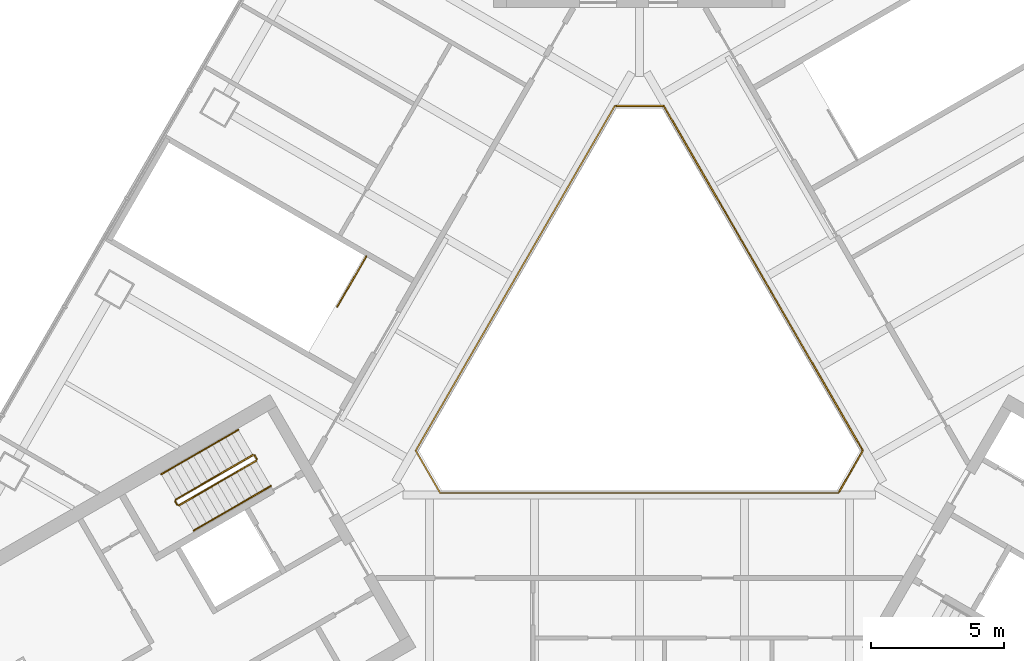
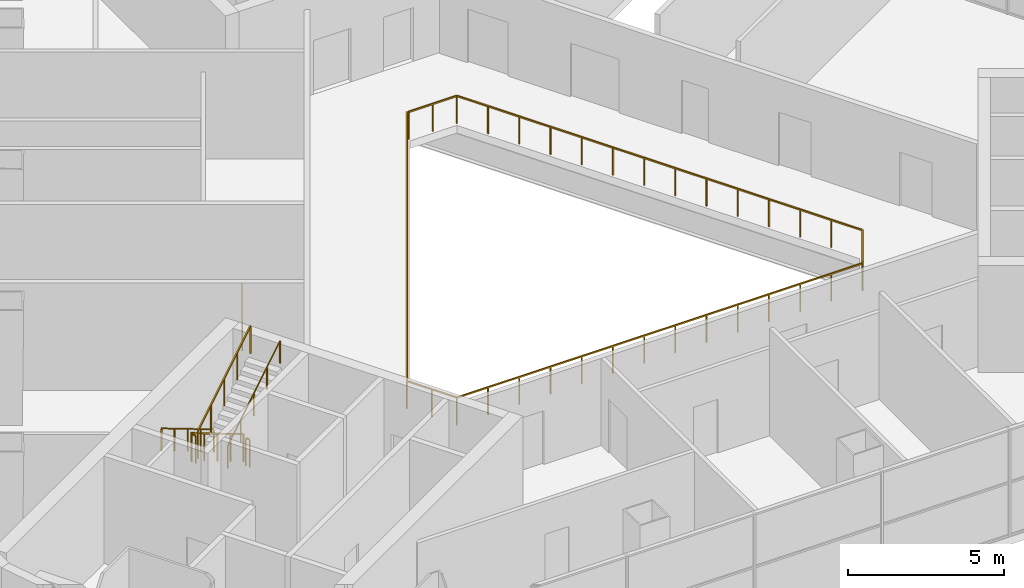
# One storey, part 11 of 12: 9 railings.
"""IFC4 building model written with IfcOpenShell, lengths in metres."""

from ifc_helpers import new_model, si_unit, direction, frame, origin, origin_2d, place, context, subcontext, project, spatial, rectangle, circle, extrude, material, type_object, element, save


model = new_model("IFC4")

# Units and contexts
model_context = context("Model", 3, precision=1e-05, world=origin(), true_north=direction((0.0, 1.0)))
body_context = subcontext(model_context, "Body", "Model", "MODEL_VIEW")
ifc_project = project(units=[si_unit("LENGTHUNIT", "METRE"), si_unit("AREAUNIT", "SQUARE_METRE"), si_unit("VOLUMEUNIT", "CUBIC_METRE"), si_unit("PLANEANGLEUNIT", "RADIAN"), si_unit("MASSUNIT", "GRAM", prefix="KILO")], contexts=[model_context])

# Site, building, storey
site_placement = place(None, origin())
site = spatial("IfcSite", under=ifc_project, at=site_placement, CompositionType="ELEMENT")
building_placement = place(site_placement, origin())
building = spatial("IfcBuilding", under=site, at=building_placement, Name="Apuvela Tower Hotel", CompositionType="ELEMENT")
storey_placement = place(building_placement, frame((0.0, 0.0, 33.0)))
storey = spatial("IfcBuildingStorey", under=building, at=storey_placement, Name="L05", CompositionType="ELEMENT", Elevation=33.0)

# Railings
ifc_material_1 = material(Name="Steel S275 balustrade", Category="steel")
railing_type_1 = type_object("IfcRailingType", Name="COR-GUARD-1100", PredefinedType="GUARDRAIL", material=ifc_material_1)
railing_1_placement = place(storey_placement, frame((-14.569091796875, -3.9658203125, 0.173095703125)))
element("IfcRailing", 1, at=railing_1_placement, inside=storey, type_object=railing_type_1, Name="L05 ST2 stair guard 1", PredefinedType="GUARDRAIL", context=body_context, shape_type="SweptSolid", body=[
    extrude(rectangle(XDim=0.048095703125, YDim=0.048095703125, at=origin_2d()), frame((0.0, 0.0, 1.076171875), z_axis=(-0.736639687092, -0.425307743487, 0.525809180911), x_axis=(0.500007602105, -0.866021014662, 0.0)), (0.0, 0.0, 1.0), 3.949951171875),
    extrude(rectangle(XDim=0.0419921875, YDim=0.0419921875, at=origin_2d()), origin(), (0.0, 0.0, 1.0), 1.052001953125),
    extrude(rectangle(XDim=0.0419921875, YDim=0.0419921875, at=origin_2d()), frame((-0.7275390625, -0.419921875, 0.519287109375)), (0.0, 0.0, 1.0), 1.052001953125),
    extrude(rectangle(XDim=0.0419921875, YDim=0.0419921875, at=origin_2d()), frame((-1.454833984375, -0.83984375, 1.03857421875)), (0.0, 0.0, 1.0), 1.052001953125),
    extrude(rectangle(XDim=0.0419921875, YDim=0.0419921875, at=origin_2d()), frame((-2.18212890625, -1.260009765625, 1.5576171875)), (0.0, 0.0, 1.0), 1.052001953125),
    extrude(rectangle(XDim=0.0419921875, YDim=0.0419921875, at=origin_2d()), frame((-2.90966796875, -1.679931640625, 2.076904296875)), (0.0, 0.0, 1.0), 1.052001953125),
])
railing_2_placement = place(storey_placement, frame((-17.4970703125, -5.714111328125, 2.25)))
element("IfcRailing", 2, at=railing_2_placement, inside=storey, type_object=railing_type_1, Name="L05 ST2 stair guard 2", PredefinedType="GUARDRAIL", context=body_context, shape_type="SweptSolid", body=[
    extrude(rectangle(XDim=0.048095703125, YDim=0.048095703125, at=origin_2d()), frame((0.0, 0.0, 1.076171875), z_axis=(0.499816412211, -0.866131372301, 0.0), x_axis=(0.866131372301, 0.499816412211, 0.0)), (0.0, 0.0, 1.0), 0.14990234375),
    extrude(rectangle(XDim=0.0419921875, YDim=0.0419921875, at=origin_2d()), origin(), (0.0, 0.0, 1.0), 1.052001953125),
    extrude(rectangle(XDim=0.0419921875, YDim=0.0419921875, at=origin_2d()), frame((0.074951171875, -0.1298828125, 0.0)), (0.0, 0.0, 1.0), 1.052001953125),
])
railing_3_placement = place(storey_placement, frame((-17.353759765625, -5.8623046875, 2.423095703125)))
element("IfcRailing", 3, at=railing_3_placement, inside=storey, type_object=railing_type_1, Name="L05 ST2 stair guard 3", PredefinedType="GUARDRAIL", context=body_context, shape_type="SweptSolid", body=[
    extrude(rectangle(XDim=0.048095703125, YDim=0.048095703125, at=origin_2d()), frame((0.0, 0.0, 1.076171875), z_axis=(0.736639687092, 0.425307743487, 0.525809180911), x_axis=(-0.500007602105, 0.866021014662, 0.0)), (0.0, 0.0, 1.0), 3.949951171875),
    extrude(rectangle(XDim=0.0419921875, YDim=0.0419921875, at=origin_2d()), origin(), (0.0, 0.0, 1.0), 1.052001953125),
    extrude(rectangle(XDim=0.0419921875, YDim=0.0419921875, at=origin_2d()), frame((0.7275390625, 0.419921875, 0.519287109375)), (0.0, 0.0, 1.0), 1.052001953125),
    extrude(rectangle(XDim=0.0419921875, YDim=0.0419921875, at=origin_2d()), frame((1.454833984375, 0.83984375, 1.03857421875)), (0.0, 0.0, 1.0), 1.052001953125),
    extrude(rectangle(XDim=0.0419921875, YDim=0.0419921875, at=origin_2d()), frame((2.18212890625, 1.260009765625, 1.5576171875)), (0.0, 0.0, 1.0), 1.052001953125),
    extrude(rectangle(XDim=0.0419921875, YDim=0.0419921875, at=origin_2d()), frame((2.90966796875, 1.679931640625, 2.076904296875)), (0.0, 0.0, 1.0), 1.052001953125),
])
railing_4_placement = place(storey_placement, frame((-14.500732421875, -3.984130859375, 0.0)))
element("IfcRailing", 4, at=railing_4_placement, inside=storey, type_object=railing_type_1, Name="L05 ST2 stair guard 4", PredefinedType="GUARDRAIL", context=body_context, shape_type="SweptSolid", body=[
    extrude(rectangle(XDim=0.048095703125, YDim=0.048095703125, at=origin_2d()), frame((0.0, 0.0, 1.076171875), z_axis=(0.499816412211, -0.866131372301, 0.0), x_axis=(0.866131372301, 0.499816412211, 0.0)), (0.0, 0.0, 1.0), 0.14990234375),
    extrude(rectangle(XDim=0.0419921875, YDim=0.0419921875, at=origin_2d()), origin(), (0.0, 0.0, 1.0), 1.052001953125),
    extrude(rectangle(XDim=0.0419921875, YDim=0.0419921875, at=origin_2d()), frame((0.074951171875, -0.1298828125, 0.0)), (0.0, 0.0, 1.0), 1.052001953125),
])
ifc_material_2 = material(Name="Stainless steel 316 handrail", Category="steel")
railing_type_2 = type_object("IfcRailingType", Name="COR-HANDRAIL-900", PredefinedType="HANDRAIL", material=ifc_material_2)
railing_5_placement = place(storey_placement, frame((-15.118896484375, -3.01318359375, 0.173095703125)))
element("IfcRailing", 5, at=railing_5_placement, inside=storey, type_object=railing_type_2, Name="L05 ST2 stair handrail 1", PredefinedType="HANDRAIL", context=body_context, shape_type="SweptSolid", body=[
    extrude(circle(Radius=0.02392578125, at=origin_2d()), frame((0.0, 0.0, 0.8759765625), z_axis=(-0.736667954249, -0.425288379326, 0.525785240943), x_axis=(0.499976138585, -0.866039179741, 0.0)), (0.0, 0.0, 1.0), 3.9501953125),
    extrude(rectangle(XDim=0.0419921875, YDim=0.0419921875, at=origin_2d()), origin(), (0.0, 0.0, 1.0), 0.851806640625),
    extrude(rectangle(XDim=0.0419921875, YDim=0.0419921875, at=origin_2d()), frame((-0.7275390625, -0.419921875, 0.519287109375)), (0.0, 0.0, 1.0), 0.851806640625),
    extrude(rectangle(XDim=0.0419921875, YDim=0.0419921875, at=origin_2d()), frame((-1.455078125, -0.83984375, 1.03857421875)), (0.0, 0.0, 1.0), 0.851806640625),
    extrude(rectangle(XDim=0.0419921875, YDim=0.0419921875, at=origin_2d()), frame((-2.182373046875, -1.260009765625, 1.5576171875)), (0.0, 0.0, 1.0), 0.851806640625),
    extrude(rectangle(XDim=0.0419921875, YDim=0.0419921875, at=origin_2d()), frame((-2.909912109375, -1.679931640625, 2.076904296875)), (0.0, 0.0, 1.0), 0.851806640625),
])
railing_6_placement = place(storey_placement, frame((-16.8037109375, -6.81494140625, 2.423095703125)))
element("IfcRailing", 6, at=railing_6_placement, inside=storey, type_object=railing_type_2, Name="L05 ST2 stair handrail 2", PredefinedType="HANDRAIL", context=body_context, shape_type="SweptSolid", body=[
    extrude(circle(Radius=0.02392578125, at=origin_2d()), frame((0.0, 0.0, 0.8759765625), z_axis=(0.736639687092, 0.425307743487, 0.525809180911), x_axis=(-0.500007602105, 0.866021014662, 0.0)), (0.0, 0.0, 1.0), 3.949951171875),
    extrude(rectangle(XDim=0.0419921875, YDim=0.0419921875, at=origin_2d()), origin(), (0.0, 0.0, 1.0), 0.851806640625),
    extrude(rectangle(XDim=0.0419921875, YDim=0.0419921875, at=origin_2d()), frame((0.7275390625, 0.419921875, 0.519287109375)), (0.0, 0.0, 1.0), 0.851806640625),
    extrude(rectangle(XDim=0.0419921875, YDim=0.0419921875, at=origin_2d()), frame((1.454833984375, 0.83984375, 1.03857421875)), (0.0, 0.0, 1.0), 0.851806640625),
    extrude(rectangle(XDim=0.0419921875, YDim=0.0419921875, at=origin_2d()), frame((2.18212890625, 1.260009765625, 1.5576171875)), (0.0, 0.0, 1.0), 0.851806640625),
    extrude(rectangle(XDim=0.0419921875, YDim=0.0419921875, at=origin_2d()), frame((2.90966796875, 1.679931640625, 2.076904296875)), (0.0, 0.0, 1.0), 0.851806640625),
])
ifc_material_3 = material(Name="Stainless steel 316 rail with laminated glass infill", Category="steel")
railing_type_3 = type_object("IfcRailingType", Name="ENV-GUARD-1100", PredefinedType="GUARDRAIL", material=ifc_material_3)
railing_7_placement = place(storey_placement, frame((-0.923828125, 9.199951171875, 0.0)))
element("IfcRailing", 7, at=railing_7_placement, inside=storey, type_object=railing_type_3, Name="Atrium void guard A L05", PredefinedType="GUARDRAIL", context=body_context, shape_type="SweptSolid", body=[
    extrude(rectangle(XDim=0.050048828125, YDim=0.050048828125, at=origin_2d()), frame((0.0, 0.0, 1.0751953125), z_axis=(-0.499990886379, -0.866030665472, 0.0), x_axis=(0.866030665472, -0.499990886379, 0.0)), (0.0, 0.0, 1.0), 15.010986328125),
    extrude(rectangle(XDim=0.050048828125, YDim=0.050048828125, at=origin_2d()), frame((-7.50537109375, -13.0, 1.0751953125), z_axis=(0.499962699187, -0.866046938348, 0.0), x_axis=(0.866046938348, 0.499962699187, 0.0)), (0.0, 0.0, 1.0), 1.847412109375),
    extrude(rectangle(XDim=0.050048828125, YDim=0.050048828125, at=origin_2d()), frame((-6.581787109375, -14.599853515625, 1.0751953125), z_axis=(1.0, 0.0, 0.0), x_axis=(0.0, 1.0, 0.0)), (0.0, 0.0, 1.0), 15.01123046875),
    extrude(rectangle(XDim=0.0400390625, YDim=0.0400390625, at=origin_2d()), origin(), (0.0, 0.0, 1.0), 1.050048828125),
    extrude(rectangle(XDim=0.0400390625, YDim=0.0400390625, at=origin_2d()), frame((-0.577392578125, -1.0, 0.0)), (0.0, 0.0, 1.0), 1.050048828125),
    extrude(rectangle(XDim=0.0400390625, YDim=0.0400390625, at=origin_2d()), frame((-1.15478515625, -2.0, 0.0)), (0.0, 0.0, 1.0), 1.050048828125),
    extrude(rectangle(XDim=0.0400390625, YDim=0.0400390625, at=origin_2d()), frame((-1.73193359375, -3.0, 0.0)), (0.0, 0.0, 1.0), 1.050048828125),
    extrude(rectangle(XDim=0.0400390625, YDim=0.0400390625, at=origin_2d()), frame((-2.309326171875, -4.0, 0.0)), (0.0, 0.0, 1.0), 1.050048828125),
    extrude(rectangle(XDim=0.0400390625, YDim=0.0400390625, at=origin_2d()), frame((-2.88671875, -5.0, 0.0)), (0.0, 0.0, 1.0), 1.050048828125),
    extrude(rectangle(XDim=0.0400390625, YDim=0.0400390625, at=origin_2d()), frame((-3.464111328125, -6.0, 0.0)), (0.0, 0.0, 1.0), 1.050048828125),
    extrude(rectangle(XDim=0.0400390625, YDim=0.0400390625, at=origin_2d()), frame((-4.041259765625, -7.0, 0.0)), (0.0, 0.0, 1.0), 1.050048828125),
    extrude(rectangle(XDim=0.0400390625, YDim=0.0400390625, at=origin_2d()), frame((-4.61865234375, -8.0, 0.0)), (0.0, 0.0, 1.0), 1.050048828125),
    extrude(rectangle(XDim=0.0400390625, YDim=0.0400390625, at=origin_2d()), frame((-5.196044921875, -9.0, 0.0)), (0.0, 0.0, 1.0), 1.050048828125),
    extrude(rectangle(XDim=0.0400390625, YDim=0.0400390625, at=origin_2d()), frame((-5.7734375, -10.0, 0.0)), (0.0, 0.0, 1.0), 1.050048828125),
    extrude(rectangle(XDim=0.0400390625, YDim=0.0400390625, at=origin_2d()), frame((-6.3505859375, -11.0, 0.0)), (0.0, 0.0, 1.0), 1.050048828125),
    extrude(rectangle(XDim=0.0400390625, YDim=0.0400390625, at=origin_2d()), frame((-6.927978515625, -12.0, 0.0)), (0.0, 0.0, 1.0), 1.050048828125),
    extrude(rectangle(XDim=0.0400390625, YDim=0.0400390625, at=origin_2d()), frame((-7.50537109375, -13.0, 0.0)), (0.0, 0.0, 1.0), 1.050048828125),
    extrude(rectangle(XDim=0.0400390625, YDim=0.0400390625, at=origin_2d()), frame((-7.04345703125, -13.7998046875, 0.0)), (0.0, 0.0, 1.0), 1.050048828125),
    extrude(rectangle(XDim=0.0400390625, YDim=0.0400390625, at=origin_2d()), frame((-6.581787109375, -14.599853515625, 0.0)), (0.0, 0.0, 1.0), 1.050048828125),
    extrude(rectangle(XDim=0.0400390625, YDim=0.0400390625, at=origin_2d()), frame((-5.427001953125, -14.599853515625, 0.0)), (0.0, 0.0, 1.0), 1.050048828125),
    extrude(rectangle(XDim=0.0400390625, YDim=0.0400390625, at=origin_2d()), frame((-4.2724609375, -14.599853515625, 0.0)), (0.0, 0.0, 1.0), 1.050048828125),
    extrude(rectangle(XDim=0.0400390625, YDim=0.0400390625, at=origin_2d()), frame((-3.11767578125, -14.599853515625, 0.0)), (0.0, 0.0, 1.0), 1.050048828125),
    extrude(rectangle(XDim=0.0400390625, YDim=0.0400390625, at=origin_2d()), frame((-1.962890625, -14.599853515625, 0.0)), (0.0, 0.0, 1.0), 1.050048828125),
    extrude(rectangle(XDim=0.0400390625, YDim=0.0400390625, at=origin_2d()), frame((-0.808349609375, -14.599853515625, 0.0)), (0.0, 0.0, 1.0), 1.050048828125),
    extrude(rectangle(XDim=0.0400390625, YDim=0.0400390625, at=origin_2d()), frame((0.346435546875, -14.599853515625, 0.0)), (0.0, 0.0, 1.0), 1.050048828125),
    extrude(rectangle(XDim=0.0400390625, YDim=0.0400390625, at=origin_2d()), frame((1.501220703125, -14.599853515625, 0.0)), (0.0, 0.0, 1.0), 1.050048828125),
    extrude(rectangle(XDim=0.0400390625, YDim=0.0400390625, at=origin_2d()), frame((2.656005859375, -14.599853515625, 0.0)), (0.0, 0.0, 1.0), 1.050048828125),
    extrude(rectangle(XDim=0.0400390625, YDim=0.0400390625, at=origin_2d()), frame((3.810546875, -14.599853515625, 0.0)), (0.0, 0.0, 1.0), 1.050048828125),
    extrude(rectangle(XDim=0.0400390625, YDim=0.0400390625, at=origin_2d()), frame((4.96533203125, -14.599853515625, 0.0)), (0.0, 0.0, 1.0), 1.050048828125),
    extrude(rectangle(XDim=0.0400390625, YDim=0.0400390625, at=origin_2d()), frame((6.1201171875, -14.599853515625, 0.0)), (0.0, 0.0, 1.0), 1.050048828125),
    extrude(rectangle(XDim=0.0400390625, YDim=0.0400390625, at=origin_2d()), frame((7.274658203125, -14.599853515625, 0.0)), (0.0, 0.0, 1.0), 1.050048828125),
    extrude(rectangle(XDim=0.0400390625, YDim=0.0400390625, at=origin_2d()), frame((8.429443359375, -14.599853515625, 0.0)), (0.0, 0.0, 1.0), 1.050048828125),
])
railing_8_placement = place(storey_placement, frame((7.53564453125, -5.347900390625, 0.0)))
element("IfcRailing", 8, at=railing_8_placement, inside=storey, type_object=railing_type_3, Name="Atrium void guard B L05", PredefinedType="GUARDRAIL", context=body_context, shape_type="SweptSolid", body=[
    extrude(rectangle(XDim=0.050048828125, YDim=0.050048828125, at=origin_2d()), frame((0.0, 0.0, 1.0751953125), z_axis=(0.499958946799, 0.866049104564, 0.0), x_axis=(-0.866049104564, 0.499958946799, 0.0)), (0.0, 0.0, 1.0), 1.787353515625),
    extrude(rectangle(XDim=0.050048828125, YDim=0.050048828125, at=origin_2d()), frame((0.8935546875, 1.5478515625, 1.0751953125), z_axis=(-0.499990886379, 0.866030665472, 0.0), x_axis=(-0.866030665472, -0.499990886379, 0.0)), (0.0, 0.0, 1.0), 15.010986328125),
    extrude(rectangle(XDim=0.050048828125, YDim=0.050048828125, at=origin_2d()), frame((-6.61181640625, 14.5478515625, 1.0751953125), z_axis=(-1.0, 0.0, 0.0), x_axis=(0.0, -1.0, 0.0)), (0.0, 0.0, 1.0), 1.78759765625),
    extrude(rectangle(XDim=0.0400390625, YDim=0.0400390625, at=origin_2d()), origin(), (0.0, 0.0, 1.0), 1.050048828125),
    extrude(rectangle(XDim=0.0400390625, YDim=0.0400390625, at=origin_2d()), frame((0.44677734375, 0.77392578125, 0.0)), (0.0, 0.0, 1.0), 1.050048828125),
    extrude(rectangle(XDim=0.0400390625, YDim=0.0400390625, at=origin_2d()), frame((0.8935546875, 1.5478515625, 0.0)), (0.0, 0.0, 1.0), 1.050048828125),
    extrude(rectangle(XDim=0.0400390625, YDim=0.0400390625, at=origin_2d()), frame((0.316162109375, 2.5478515625, 0.0)), (0.0, 0.0, 1.0), 1.050048828125),
    extrude(rectangle(XDim=0.0400390625, YDim=0.0400390625, at=origin_2d()), frame((-0.26123046875, 3.5478515625, 0.0)), (0.0, 0.0, 1.0), 1.050048828125),
    extrude(rectangle(XDim=0.0400390625, YDim=0.0400390625, at=origin_2d()), frame((-0.83837890625, 4.5478515625, 0.0)), (0.0, 0.0, 1.0), 1.050048828125),
    extrude(rectangle(XDim=0.0400390625, YDim=0.0400390625, at=origin_2d()), frame((-1.415771484375, 5.5478515625, 0.0)), (0.0, 0.0, 1.0), 1.050048828125),
    extrude(rectangle(XDim=0.0400390625, YDim=0.0400390625, at=origin_2d()), frame((-1.9931640625, 6.5478515625, 0.0)), (0.0, 0.0, 1.0), 1.050048828125),
    extrude(rectangle(XDim=0.0400390625, YDim=0.0400390625, at=origin_2d()), frame((-2.570556640625, 7.5478515625, 0.0)), (0.0, 0.0, 1.0), 1.050048828125),
    extrude(rectangle(XDim=0.0400390625, YDim=0.0400390625, at=origin_2d()), frame((-3.147705078125, 8.5478515625, 0.0)), (0.0, 0.0, 1.0), 1.050048828125),
    extrude(rectangle(XDim=0.0400390625, YDim=0.0400390625, at=origin_2d()), frame((-3.72509765625, 9.5478515625, 0.0)), (0.0, 0.0, 1.0), 1.050048828125),
    extrude(rectangle(XDim=0.0400390625, YDim=0.0400390625, at=origin_2d()), frame((-4.302490234375, 10.5478515625, 0.0)), (0.0, 0.0, 1.0), 1.050048828125),
    extrude(rectangle(XDim=0.0400390625, YDim=0.0400390625, at=origin_2d()), frame((-4.8798828125, 11.5478515625, 0.0)), (0.0, 0.0, 1.0), 1.050048828125),
    extrude(rectangle(XDim=0.0400390625, YDim=0.0400390625, at=origin_2d()), frame((-5.45703125, 12.5478515625, 0.0)), (0.0, 0.0, 1.0), 1.050048828125),
    extrude(rectangle(XDim=0.0400390625, YDim=0.0400390625, at=origin_2d()), frame((-6.034423828125, 13.5478515625, 0.0)), (0.0, 0.0, 1.0), 1.050048828125),
    extrude(rectangle(XDim=0.0400390625, YDim=0.0400390625, at=origin_2d()), frame((-6.61181640625, 14.5478515625, 0.0)), (0.0, 0.0, 1.0), 1.050048828125),
    extrude(rectangle(XDim=0.0400390625, YDim=0.0400390625, at=origin_2d()), frame((-7.505615234375, 14.5478515625, 0.0)), (0.0, 0.0, 1.0), 1.050048828125),
    extrude(rectangle(XDim=0.0400390625, YDim=0.0400390625, at=origin_2d()), frame((-8.3994140625, 14.5478515625, 0.0)), (0.0, 0.0, 1.0), 1.050048828125),
])
ifc_material_4 = material(Name="Steel S355 guard with laminated glass infill", Category="steel")
railing_type_4 = type_object("IfcRailingType", Name="SPC-GUARD-1100", PredefinedType="GUARDRAIL", material=ifc_material_4)
railing_9_placement = place(storey_placement, frame((-10.294921875, 3.518798828125, 0.0)))
element("IfcRailing", 9, at=railing_9_placement, inside=storey, type_object=railing_type_4, Name="L05 PS2 top well guard 1", PredefinedType="GUARDRAIL", context=body_context, shape_type="SweptSolid", body=[
    extrude(rectangle(XDim=0.048095703125, YDim=0.048095703125, at=origin_2d()), frame((0.0, 0.0, 1.076171875), z_axis=(-0.499978335414, -0.866037911478, 0.0), x_axis=(0.866037911478, -0.499978335414, 0.0)), (0.0, 0.0, 1.0), 2.1748046875),
    extrude(rectangle(XDim=0.0419921875, YDim=0.0419921875, at=origin_2d()), origin(), (0.0, 0.0, 1.0), 1.052001953125),
    extrude(rectangle(XDim=0.0419921875, YDim=0.0419921875, at=origin_2d()), frame((-0.543701171875, -0.94189453125, 0.0)), (0.0, 0.0, 1.0), 1.052001953125),
    extrude(rectangle(XDim=0.0419921875, YDim=0.0419921875, at=origin_2d()), frame((-1.08740234375, -1.883544921875, 0.0)), (0.0, 0.0, 1.0), 1.052001953125),
])

save(model, "model.ifc")
